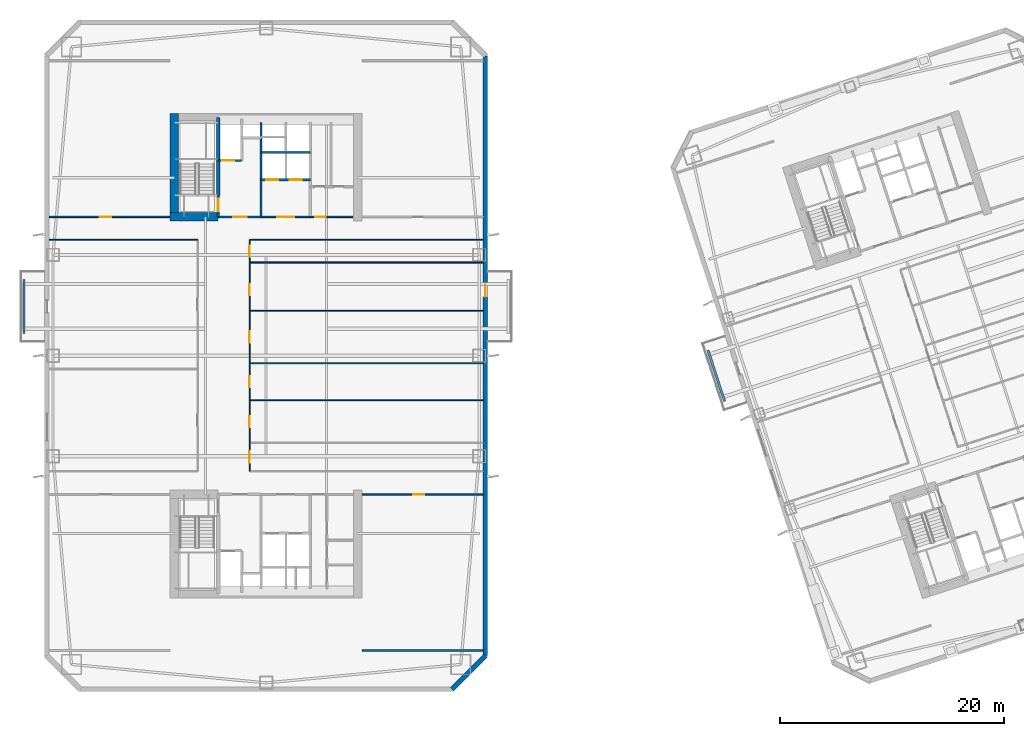
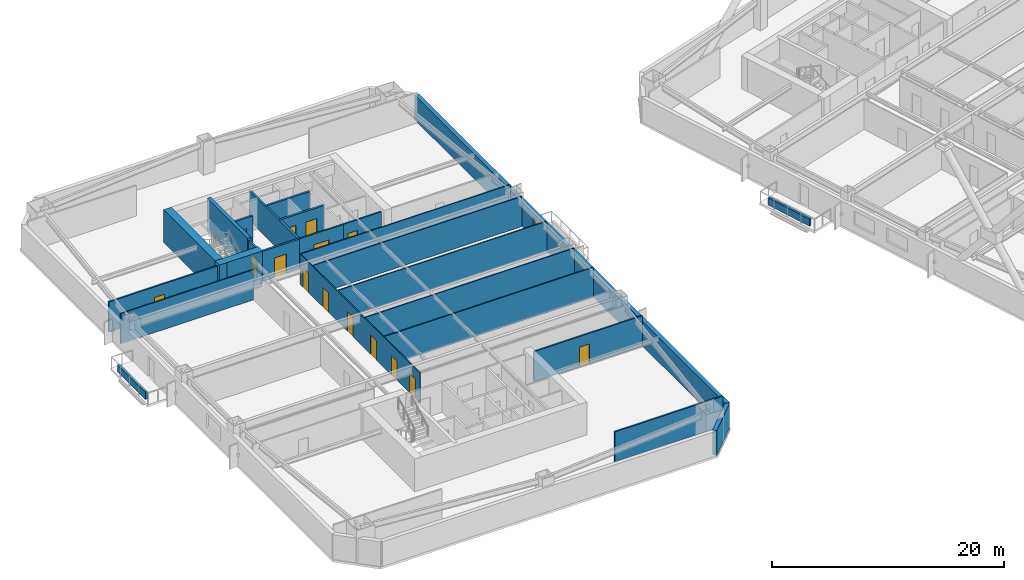
# One storey, part 7 of 19: 25 walls, 16 doors, 16 openings.
"""IFC4 building model written with IfcOpenShell, lengths in metres."""

from ifc_helpers import new_model, si_unit, direction, frame, frame_2d, origin, place, context, subcontext, project, spatial, rectangle, extrude, material, layer, layer_set, type_object, element, fill, save


model = new_model("IFC4")

# Units and contexts
model_context = context("Model", 3, precision=1e-05, world=origin(), true_north=direction((0.0, 1.0)))
body_context = subcontext(model_context, "Body", "Model", "MODEL_VIEW")
ifc_project = project(units=[si_unit("LENGTHUNIT", "METRE"), si_unit("AREAUNIT", "SQUARE_METRE"), si_unit("VOLUMEUNIT", "CUBIC_METRE"), si_unit("PLANEANGLEUNIT", "RADIAN"), si_unit("MASSUNIT", "GRAM", prefix="KILO")], contexts=[model_context])

# Site, building, storey
site_placement = place(None, origin())
site = spatial("IfcSite", under=ifc_project, at=site_placement, CompositionType="ELEMENT")
building_placement = place(site_placement, origin())
building = spatial("IfcBuilding", under=site, at=building_placement, Name="Qiaolan Cultural Towers", CompositionType="ELEMENT")
storey_placement = place(building_placement, frame((0.0, 0.0, 78.199951171875)))
storey = spatial("IfcBuildingStorey", under=building, at=storey_placement, Name="L19", CompositionType="ELEMENT", Elevation=78.199951171875)

# Walls
ifc_material_1 = material(Name="Concrete C50", Category="concrete")
ifc_layer_1 = layer(ifc_material_1, 0.35009765625)
ifc_layer_set_1 = layer_set([ifc_layer_1], Name="Concrete C50")
wall_type_1 = type_object("IfcWallType", Name="WL-CORE-350", PredefinedType="SHEAR", material=ifc_layer_set_1)
wall_1_placement = place(storey_placement, frame((25.719970703125, 48.300048828125, 0.0), z_axis=(0.0, 0.0, 1.0), x_axis=(0.0, 1.0, 0.0)))
element("IfcWall", 1, at=wall_1_placement, inside=storey, type_object=wall_type_1, Name="L19 T1-CN Stair Core Dividing Web", PredefinedType="SHEAR", context=body_context, shape_type="SweptSolid", body=[
    extrude(rectangle(XDim=6.97998046875, YDim=0.35009765625, at=frame_2d((3.489990234375, 0.0))), origin(), (0.0, 0.0, 1.0), 3.449951171875),
])
ifc_material_2 = material(Name="Concrete C60", Category="concrete")
ifc_layer_2 = layer(ifc_material_2, 0.75)
ifc_layer_set_2 = layer_set([ifc_layer_2], Name="Concrete C60")
wall_type_2 = type_object("IfcWallType", Name="WL-CORE-750", PredefinedType="SHEAR", material=ifc_layer_set_2)
wall_2_placement = place(storey_placement, frame((21.800048828125, 46.02490234375, 0.0), z_axis=(0.0, 0.0, 1.0), x_axis=(0.0, 1.0, 0.0)))
element("IfcWall", 2, at=wall_2_placement, inside=storey, type_object=wall_type_2, Name="L19 T1-CN West Core Shear Wall", PredefinedType="SHEAR", context=body_context, shape_type="SweptSolid", body=[
    extrude(rectangle(XDim=9.630126953125, YDim=0.75, at=frame_2d((4.81494140625, 0.0))), origin(), (0.0, 0.0, 1.0), 3.449951171875),
])
wall_3_placement = place(storey_placement, frame((21.425048828125, 46.39990234375, 0.0), z_axis=(0.0, 0.0, 1.0), x_axis=(1.0, 0.0, 0.0)))
element("IfcWall", 3, at=wall_3_placement, inside=storey, type_object=wall_type_2, Name="L19 T1-CN Stair Front Shear Wall", PredefinedType="SHEAR", context=body_context, shape_type="SweptSolid", body=[
    extrude(rectangle(XDim=4.294921875, YDim=0.75, at=frame_2d((2.1474609375, 0.0))), origin(), (0.0, 0.0, 1.0), 3.449951171875),
])

# Wall, opening, door
ifc_material_3 = material(Name="Precast Concrete C50 Honed Stone Pier", Category="masonry")
ifc_layer_3 = layer(ifc_material_3, 0.39990234375)
ifc_layer_set_3 = layer_set([ifc_layer_3], Name="Precast Concrete C50 Honed Stone Pier")
wall_type_3 = type_object("IfcWallType", Name="WL-EXT-PIER-400", PredefinedType="SOLIDWALL", material=ifc_layer_set_3)
wall_4_placement = place(storey_placement, frame((49.60009765625, 60.800048828125, 0.0), z_axis=(0.0, 0.0, 1.0), x_axis=(0.0, -1.0, 0.0)))
wall_4 = element("IfcWall", 4, at=wall_4_placement, inside=storey, type_object=wall_type_3, Name="L19 West Tower Precast Pier Facade Wall F5", PredefinedType="SOLIDWALL", context=body_context, shape_type="SweptSolid", body=[
    extrude(rectangle(XDim=53.60009765625, YDim=0.39990234375, at=frame_2d((26.800048828125, 0.0))), origin(), (0.0, 0.0, 1.0), 2.610107421875),
])
opening_1_placement = place(wall_4_placement, frame((20.449951171875, 0.0, 0.0)))
opening_1 = element("IfcOpeningElement", 5, at=opening_1_placement, cuts=wall_4, Name="Opening BD-01", PredefinedType="OPENING", context=body_context, shape_type="SweptSolid", body=[
    extrude(rectangle(XDim=1.10009765625, YDim=2.14990234375, at=frame_2d((0.550048828125, 1.074951171875))), frame((0.0, 0.2099609375, 0.0), z_axis=(0.0, -1.0, 0.0), x_axis=(1.0, 0.0, 0.0)), (0.0, 0.0, 1.0), 0.419921875),
])
ifc_material_4 = material(Name="Thermally Broken Aluminium Glazed Terrace Door", Category="aluminium")
door_type_1 = type_object("IfcDoorType", Name="DR-BAL-1100", OperationType="NOTDEFINED", PredefinedType="DOOR", material=ifc_material_4)
door_1_placement = place(opening_1_placement, origin())
door_1 = element("IfcDoor", 6, at=door_1_placement, inside=storey, type_object=door_type_1, Name="L19 T1 East Tree Balcony Door", OperationType="SINGLE_SWING_RIGHT", OverallHeight=2.14990234375, OverallWidth=1.10009765625, PredefinedType="DOOR", context=body_context, shape_type="SweptSolid", body=[
    extrude(rectangle(XDim=1.10009765625, YDim=2.14990234375, at=frame_2d((0.550048828125, 1.074951171875))), frame((0.0, 0.02490234375, 0.0), z_axis=(0.0, -1.0, 0.0), x_axis=(1.0, 0.0, 0.0)), (0.0, 0.0, 1.0), 0.050048828125),
])
fill(opening_1, door_1)

# Wall
wall_5_placement = place(storey_placement, frame((49.60009765625, 7.199951171875, 0.0), z_axis=(0.0, 0.0, 1.0), x_axis=(-0.707106781187, -0.707106781187, 0.0)))
element("IfcWall", 7, at=wall_5_placement, inside=storey, type_object=wall_type_3, Name="L19 West Tower Precast Pier Facade Wall F6", PredefinedType="SOLIDWALL", context=body_context, shape_type="SweptSolid", body=[
    extrude(rectangle(XDim=4.24267578125, YDim=0.39990234375, at=frame_2d((2.121337890625, 0.0))), origin(), (0.0, 0.0, 1.0), 2.610107421875),
])

# Wall, opening, door
ifc_material_5 = material(Name="Concrete C35 Fire Wall", Category="concrete")
ifc_layer_4 = layer(ifc_material_5, 0.199951171875)
ifc_layer_set_4 = layer_set([ifc_layer_4], Name="Concrete C35 Fire Wall")
wall_type_4 = type_object("IfcWallType", Name="WL-FIRE-200", PredefinedType="PARTITIONING", material=ifc_layer_set_4)
wall_6_placement = place(storey_placement, frame((25.719970703125, 46.39990234375, 0.0), z_axis=(0.0, 0.0, 1.0), x_axis=(0.0, 1.0, 0.0)))
wall_6 = element("IfcWall", 8, at=wall_6_placement, inside=storey, type_object=wall_type_4, Name="L19 T1-CN Smokeproof Stair Entry Wall", PredefinedType="PARTITIONING", context=body_context, shape_type="SweptSolid", body=[
    extrude(rectangle(XDim=1.900146484375, YDim=0.199951171875, at=frame_2d((0.9501953125, 0.0))), origin(), (0.0, 0.0, 1.0), 3.175048828125),
])
opening_2_placement = place(wall_6_placement, frame((0.52001953125, 0.0, 0.0)))
opening_2 = element("IfcOpeningElement", 9, at=opening_2_placement, cuts=wall_6, Name="Opening FD-04", PredefinedType="OPENING", context=body_context, shape_type="SweptSolid", body=[
    extrude(rectangle(XDim=1.10009765625, YDim=2.050048828125, at=frame_2d((0.550048828125, 1.02490234375))), frame((0.0, 0.10986328125, 0.0), z_axis=(0.0, -1.0, 0.0), x_axis=(1.0, 0.0, 0.0)), (0.0, 0.0, 1.0), 0.219970703125),
])
ifc_material_6 = material(Name="Galvanized Steel Command Fire Door", Category="steel")
door_type_2 = type_object("IfcDoorType", Name="DR-FD90-1100", OperationType="NOTDEFINED", PredefinedType="DOOR", material=ifc_material_6)
door_2_placement = place(opening_2_placement, origin())
door_2 = element("IfcDoor", 10, at=door_2_placement, inside=storey, type_object=door_type_2, Name="L19 ST-W2 Smokeproof Stair Fire Door", OperationType="SINGLE_SWING_LEFT", OverallHeight=2.050048828125, OverallWidth=1.10009765625, PredefinedType="DOOR", context=body_context, shape_type="SweptSolid", body=[
    extrude(rectangle(XDim=1.10009765625, YDim=2.050048828125, at=frame_2d((0.550048828125, 1.02490234375))), frame((0.0, 0.02490234375, 0.0), z_axis=(0.0, -1.0, 0.0), x_axis=(1.0, 0.0, 0.0)), (0.0, 0.0, 1.0), 0.050048828125),
])
fill(opening_2, door_2)

# Wall
wall_7_placement = place(storey_placement, frame((29.550048828125, 46.39990234375, 0.0), z_axis=(0.0, 0.0, 1.0), x_axis=(0.0, 1.0, 0.0)))
element("IfcWall", 11, at=wall_7_placement, inside=storey, type_object=wall_type_4, Name="L19 T1-CN Firefighting Zone Wall", PredefinedType="PARTITIONING", context=body_context, shape_type="SweptSolid", body=[
    extrude(rectangle(XDim=8.43017578125, YDim=0.199951171875, at=frame_2d((4.215087890625, 0.0))), origin(), (0.0, 0.0, 1.0), 3.175048828125),
])

# Wall, opening, door
wall_8_placement = place(storey_placement, frame((25.719970703125, 46.39990234375, 0.0), z_axis=(0.0, 0.0, 1.0), x_axis=(1.0, 0.0, 0.0)))
wall_8 = element("IfcWall", 12, at=wall_8_placement, inside=storey, type_object=wall_type_4, Name="L19 T1-CN Firefighting Lobby Front Wall", PredefinedType="PARTITIONING", context=body_context, shape_type="SweptSolid", body=[
    extrude(rectangle(XDim=3.830078125, YDim=0.199951171875, at=frame_2d((1.9150390625, 0.0))), origin(), (0.0, 0.0, 1.0), 3.175048828125),
])
opening_3_placement = place(wall_8_placement, frame((1.35009765625, 0.0, 0.0)))
opening_3 = element("IfcOpeningElement", 13, at=opening_3_placement, cuts=wall_8, Name="Opening FD-03", PredefinedType="OPENING", context=body_context, shape_type="SweptSolid", body=[
    extrude(rectangle(XDim=1.199951171875, YDim=2.050048828125, at=frame_2d((0.60009765625, 1.02490234375))), frame((0.0, 0.10986328125, 0.0), z_axis=(0.0, -1.0, 0.0), x_axis=(1.0, 0.0, 0.0)), (0.0, 0.0, 1.0), 0.219970703125),
])
ifc_material_7 = material(Name="Galvanized Steel Smokeproof Lobby Fire Door", Category="steel")
door_type_3 = type_object("IfcDoorType", Name="DR-FD90-1200", OperationType="NOTDEFINED", PredefinedType="DOOR", material=ifc_material_7)
door_3_placement = place(opening_3_placement, origin())
door_3 = element("IfcDoor", 14, at=door_3_placement, inside=storey, type_object=door_type_3, Name="L19 FFL-W2 Firefighting Lobby Fire Door", OperationType="SINGLE_SWING_LEFT", OverallHeight=2.050048828125, OverallWidth=1.199951171875, PredefinedType="DOOR", context=body_context, shape_type="SweptSolid", body=[
    extrude(rectangle(XDim=1.199951171875, YDim=2.050048828125, at=frame_2d((0.60009765625, 1.02490234375))), frame((0.0, 0.02490234375, 0.0), z_axis=(0.0, -1.0, 0.0), x_axis=(1.0, 0.0, 0.0)), (0.0, 0.0, 1.0), 0.050048828125),
])
fill(opening_3, door_3)

wall_9_placement = place(storey_placement, frame((25.719970703125, 51.449951171875, 0.0), z_axis=(0.0, 0.0, 1.0), x_axis=(1.0, 0.0, 0.0)))
wall_9 = element("IfcWall", 15, at=wall_9_placement, inside=storey, type_object=wall_type_4, Name="L19 T1-CN Firefighting Shaft Front Wall", PredefinedType="PARTITIONING", context=body_context, shape_type="SweptSolid", body=[
    extrude(rectangle(XDim=2.10009765625, YDim=0.199951171875, at=frame_2d((1.050048828125, 0.0))), origin(), (0.0, 0.0, 1.0), 3.175048828125),
])
opening_4_placement = place(wall_9_placement, frame((0.35009765625, 0.0, 0.0)))
opening_4 = element("IfcOpeningElement", 16, at=opening_4_placement, cuts=wall_9, Name="Opening LD-01", PredefinedType="OPENING", context=body_context, shape_type="SweptSolid", body=[
    extrude(rectangle(XDim=1.10009765625, YDim=2.050048828125, at=frame_2d((0.550048828125, 1.02490234375))), frame((0.0, 0.10986328125, 0.0), z_axis=(0.0, -1.0, 0.0), x_axis=(1.0, 0.0, 0.0)), (0.0, 0.0, 1.0), 0.219970703125),
])
ifc_material_8 = material(Name="Brushed Stainless Steel S30408 Centre-Parting Lift Landing Door", Category="steel")
door_type_4 = type_object("IfcDoorType", Name="DR-LIFT-1100", OperationType="NOTDEFINED", PredefinedType="DOOR", material=ifc_material_8)
door_4_placement = place(opening_4_placement, origin())
door_4 = element("IfcDoor", 17, at=door_4_placement, inside=storey, type_object=door_type_4, Name="L19 FFL-W2 Firefighting Lift Landing Door", OperationType="DOUBLE_DOOR_SLIDING", OverallHeight=2.050048828125, OverallWidth=1.10009765625, PredefinedType="DOOR", context=body_context, shape_type="SweptSolid", body=[
    extrude(rectangle(XDim=1.10009765625, YDim=2.050048828125, at=frame_2d((0.550048828125, 1.02490234375))), frame((0.0, 0.02490234375, 0.0), z_axis=(0.0, -1.0, 0.0), x_axis=(1.0, 0.0, 0.0)), (0.0, 0.0, 1.0), 0.050048828125),
])
fill(opening_4, door_4)

# Wall, openings, doors
wall_10_placement = place(storey_placement, frame((29.550048828125, 49.719970703125, 0.0), z_axis=(0.0, 0.0, 1.0), x_axis=(1.0, 0.0, 0.0)))
wall_10 = element("IfcWall", 18, at=wall_10_placement, inside=storey, type_object=wall_type_4, Name="L19 T1-CN Passenger Lift Shaft Front Wall", PredefinedType="PARTITIONING", context=body_context, shape_type="SweptSolid", body=[
    extrude(rectangle(XDim=4.39990234375, YDim=0.199951171875, at=frame_2d((2.199951171875, 0.0))), origin(), (0.0, 0.0, 1.0), 3.175048828125),
])
opening_5_placement = place(wall_10_placement, frame((0.449951171875, 0.0, 0.0)))
opening_5 = element("IfcOpeningElement", 19, at=opening_5_placement, cuts=wall_10, Name="Opening LD-01", PredefinedType="OPENING", context=body_context, shape_type="SweptSolid", body=[
    extrude(rectangle(XDim=1.10009765625, YDim=2.050048828125, at=frame_2d((0.550048828125, 1.02490234375))), frame((0.0, 0.10986328125, 0.0), z_axis=(0.0, -1.0, 0.0), x_axis=(1.0, 0.0, 0.0)), (0.0, 0.0, 1.0), 0.219970703125),
])
opening_6_placement = place(wall_10_placement, frame((2.550048828125, 0.0, 0.0)))
opening_6 = element("IfcOpeningElement", 20, at=opening_6_placement, cuts=wall_10, Name="Opening LD-01", PredefinedType="OPENING", context=body_context, shape_type="SweptSolid", body=[
    extrude(rectangle(XDim=1.10009765625, YDim=2.050048828125, at=frame_2d((0.550048828125, 1.02490234375))), frame((0.0, 0.10986328125, 0.0), z_axis=(0.0, -1.0, 0.0), x_axis=(1.0, 0.0, 0.0)), (0.0, 0.0, 1.0), 0.219970703125),
])
door_5_placement = place(opening_5_placement, origin())
door_5 = element("IfcDoor", 21, at=door_5_placement, inside=storey, type_object=door_type_4, Name="L19 Passenger Lift 1 Landing Door", OperationType="DOUBLE_DOOR_SLIDING", OverallHeight=2.050048828125, OverallWidth=1.10009765625, PredefinedType="DOOR", context=body_context, shape_type="SweptSolid", body=[
    extrude(rectangle(XDim=1.10009765625, YDim=2.050048828125, at=frame_2d((0.550048828125, 1.02490234375))), frame((0.0, 0.02490234375, 0.0), z_axis=(0.0, -1.0, 0.0), x_axis=(1.0, 0.0, 0.0)), (0.0, 0.0, 1.0), 0.050048828125),
])
fill(opening_5, door_5)
door_6_placement = place(opening_6_placement, origin())
door_6 = element("IfcDoor", 22, at=door_6_placement, inside=storey, type_object=door_type_4, Name="L19 Passenger Lift 2 Landing Door", OperationType="DOUBLE_DOOR_SLIDING", OverallHeight=2.050048828125, OverallWidth=1.10009765625, PredefinedType="DOOR", context=body_context, shape_type="SweptSolid", body=[
    extrude(rectangle(XDim=1.10009765625, YDim=2.050048828125, at=frame_2d((0.550048828125, 1.02490234375))), frame((0.0, 0.02490234375, 0.0), z_axis=(0.0, -1.0, 0.0), x_axis=(1.0, 0.0, 0.0)), (0.0, 0.0, 1.0), 0.050048828125),
])
fill(opening_6, door_6)

# Walls
wall_11_placement = place(storey_placement, frame((29.550048828125, 52.14990234375, 0.0), z_axis=(0.0, 0.0, 1.0), x_axis=(1.0, 0.0, 0.0)))
element("IfcWall", 23, at=wall_11_placement, inside=storey, type_object=wall_type_4, Name="L19 T1-CN Passenger Lift Shaft Back Wall", PredefinedType="PARTITIONING", context=body_context, shape_type="SweptSolid", body=[
    extrude(rectangle(XDim=4.39990234375, YDim=0.199951171875, at=frame_2d((2.199951171875, 0.0))), origin(), (0.0, 0.0, 1.0), 3.175048828125),
])
ifc_material_9 = material(Name="Acoustic Double-Glazed Partition Frame", Category="glass")
ifc_layer_5 = layer(ifc_material_9, 0.10009765625)
ifc_layer_set_5 = layer_set([ifc_layer_5], Name="Acoustic Double-Glazed Partition Frame")
wall_type_5 = type_object("IfcWallType", Name="WL-GLAZED-100", PredefinedType="MOVABLE", material=ifc_layer_set_5)
wall_12_placement = place(storey_placement, frame((10.60009765625, 44.35009765625, 0.0), z_axis=(0.0, 0.0, 1.0), x_axis=(1.0, 0.0, 0.0)))
element("IfcWall", 24, at=wall_12_placement, inside=storey, type_object=wall_type_5, Name="L19 T1 North Corridor Left Wall", PredefinedType="MOVABLE", context=body_context, shape_type="SweptSolid", body=[
    extrude(rectangle(XDim=13.27490234375, YDim=0.10009765625, at=frame_2d((6.637451171875, 0.0))), origin(), (0.0, 0.0, 1.0), 3.175048828125),
])
wall_13_placement = place(storey_placement, frame((28.52490234375, 44.35009765625, 0.0), z_axis=(0.0, 0.0, 1.0), x_axis=(1.0, 0.0, 0.0)))
element("IfcWall", 25, at=wall_13_placement, inside=storey, type_object=wall_type_5, Name="L19 T1 North Corridor Right Wall", PredefinedType="MOVABLE", context=body_context, shape_type="SweptSolid", body=[
    extrude(rectangle(XDim=20.875, YDim=0.10009765625, at=frame_2d((10.4375, 0.0))), origin(), (0.0, 0.0, 1.0), 3.175048828125),
])

# Wall, openings, doors
wall_14_placement = place(storey_placement, frame((28.52490234375, 23.64990234375, 0.0), z_axis=(0.0, 0.0, 1.0), x_axis=(0.0, 1.0, 0.0)))
wall_14 = element("IfcWall", 26, at=wall_14_placement, inside=storey, type_object=wall_type_5, Name="L19 T1 East Spine Wall", PredefinedType="MOVABLE", context=body_context, shape_type="SweptSolid", body=[
    extrude(rectangle(XDim=20.7001953125, YDim=0.10009765625, at=frame_2d((10.35009765625, 0.0))), origin(), (0.0, 0.0, 1.0), 3.175048828125),
])
opening_7_placement = place(wall_14_placement, frame((0.77490234375, 0.0, 0.0)))
opening_7 = element("IfcOpeningElement", 27, at=opening_7_placement, cuts=wall_14, Name="Opening ID-07", PredefinedType="OPENING", context=body_context, shape_type="SweptSolid", body=[
    extrude(rectangle(XDim=1.050048828125, YDim=2.050048828125, at=frame_2d((0.52490234375, 1.02490234375))), frame((0.0, 0.06005859375, 0.0), z_axis=(0.0, -1.0, 0.0), x_axis=(1.0, 0.0, 0.0)), (0.0, 0.0, 1.0), 0.1201171875),
])
opening_8_placement = place(wall_14_placement, frame((3.949951171875, 0.0, 0.0)))
opening_8 = element("IfcOpeningElement", 28, at=opening_8_placement, cuts=wall_14, Name="Opening ID-04", PredefinedType="OPENING", context=body_context, shape_type="SweptSolid", body=[
    extrude(rectangle(XDim=1.0, YDim=2.050048828125, at=frame_2d((0.5, 1.02490234375))), frame((0.0, 0.06005859375, 0.0), z_axis=(0.0, -1.0, 0.0), x_axis=(1.0, 0.0, 0.0)), (0.0, 0.0, 1.0), 0.1201171875),
])
opening_9_placement = place(wall_14_placement, frame((7.510009765625, 0.0, 0.0)))
opening_9 = element("IfcOpeningElement", 29, at=opening_9_placement, cuts=wall_14, Name="Opening ID-04", PredefinedType="OPENING", context=body_context, shape_type="SweptSolid", body=[
    extrude(rectangle(XDim=1.0, YDim=2.050048828125, at=frame_2d((0.5, 1.02490234375))), frame((0.0, 0.06005859375, 0.0), z_axis=(0.0, -1.0, 0.0), x_axis=(1.0, 0.0, 0.0)), (0.0, 0.0, 1.0), 0.1201171875),
])
opening_10_placement = place(wall_14_placement, frame((11.510009765625, 0.0, 0.0)))
opening_10 = element("IfcOpeningElement", 30, at=opening_10_placement, cuts=wall_14, Name="Opening ID-04", PredefinedType="OPENING", context=body_context, shape_type="SweptSolid", body=[
    extrude(rectangle(XDim=1.0, YDim=2.050048828125, at=frame_2d((0.5, 1.02490234375))), frame((0.0, 0.06005859375, 0.0), z_axis=(0.0, -1.0, 0.0), x_axis=(1.0, 0.0, 0.0)), (0.0, 0.0, 1.0), 0.1201171875),
])
opening_11_placement = place(wall_14_placement, frame((15.75, 0.0, 0.0)))
opening_11 = element("IfcOpeningElement", 31, at=opening_11_placement, cuts=wall_14, Name="Opening ID-04", PredefinedType="OPENING", context=body_context, shape_type="SweptSolid", body=[
    extrude(rectangle(XDim=1.0, YDim=2.050048828125, at=frame_2d((0.5, 1.02490234375))), frame((0.0, 0.06005859375, 0.0), z_axis=(0.0, -1.0, 0.0), x_axis=(1.0, 0.0, 0.0)), (0.0, 0.0, 1.0), 0.1201171875),
])
opening_12_placement = place(wall_14_placement, frame((19.18505859375, 0.0, 0.0)))
opening_12 = element("IfcOpeningElement", 32, at=opening_12_placement, cuts=wall_14, Name="Opening ID-04", PredefinedType="OPENING", context=body_context, shape_type="SweptSolid", body=[
    extrude(rectangle(XDim=1.0, YDim=2.050048828125, at=frame_2d((0.5, 1.02490234375))), frame((0.0, 0.06005859375, 0.0), z_axis=(0.0, -1.0, 0.0), x_axis=(1.0, 0.0, 0.0)), (0.0, 0.0, 1.0), 0.1201171875),
])
ifc_material_10 = material(Name="Oak Veneer Acoustic Office Door", Category="timber")
door_type_5 = type_object("IfcDoorType", Name="DR-INT-1000", OperationType="NOTDEFINED", PredefinedType="DOOR", material=ifc_material_10)
door_7_placement = place(opening_8_placement, origin())
door_7 = element("IfcDoor", 33, at=door_7_placement, inside=storey, type_object=door_type_5, Name="L19 T1 Boutique Art Shop Door", OperationType="SINGLE_SWING_LEFT", OverallHeight=2.050048828125, OverallWidth=1.0, PredefinedType="DOOR", context=body_context, shape_type="SweptSolid", body=[
    extrude(rectangle(XDim=1.0, YDim=2.050048828125, at=frame_2d((0.5, 1.02490234375))), frame((0.0, 0.02490234375, 0.0), z_axis=(0.0, -1.0, 0.0), x_axis=(1.0, 0.0, 0.0)), (0.0, 0.0, 1.0), 0.050048828125),
])
fill(opening_8, door_7)
door_8_placement = place(opening_9_placement, origin())
door_8 = element("IfcDoor", 34, at=door_8_placement, inside=storey, type_object=door_type_5, Name="L19 T1 Boutique Art Shop Door", OperationType="SINGLE_SWING_RIGHT", OverallHeight=2.050048828125, OverallWidth=1.0, PredefinedType="DOOR", context=body_context, shape_type="SweptSolid", body=[
    extrude(rectangle(XDim=1.0, YDim=2.050048828125, at=frame_2d((0.5, 1.02490234375))), frame((0.0, 0.02490234375, 0.0), z_axis=(0.0, -1.0, 0.0), x_axis=(1.0, 0.0, 0.0)), (0.0, 0.0, 1.0), 0.050048828125),
])
fill(opening_9, door_8)
door_9_placement = place(opening_10_placement, origin())
door_9 = element("IfcDoor", 35, at=door_9_placement, inside=storey, type_object=door_type_5, Name="L19 T1 Wellness Care Room Door", OperationType="SINGLE_SWING_LEFT", OverallHeight=2.050048828125, OverallWidth=1.0, PredefinedType="DOOR", context=body_context, shape_type="SweptSolid", body=[
    extrude(rectangle(XDim=1.0, YDim=2.050048828125, at=frame_2d((0.5, 1.02490234375))), frame((0.0, 0.02490234375, 0.0), z_axis=(0.0, -1.0, 0.0), x_axis=(1.0, 0.0, 0.0)), (0.0, 0.0, 1.0), 0.050048828125),
])
fill(opening_10, door_9)
door_10_placement = place(opening_11_placement, origin())
door_10 = element("IfcDoor", 36, at=door_10_placement, inside=storey, type_object=door_type_5, Name="L19 T1 Conference Room Door", OperationType="SINGLE_SWING_RIGHT", OverallHeight=2.050048828125, OverallWidth=1.0, PredefinedType="DOOR", context=body_context, shape_type="SweptSolid", body=[
    extrude(rectangle(XDim=1.0, YDim=2.050048828125, at=frame_2d((0.5, 1.02490234375))), frame((0.0, 0.02490234375, 0.0), z_axis=(0.0, -1.0, 0.0), x_axis=(1.0, 0.0, 0.0)), (0.0, 0.0, 1.0), 0.050048828125),
])
fill(opening_11, door_10)
door_11_placement = place(opening_12_placement, origin())
door_11 = element("IfcDoor", 37, at=door_11_placement, inside=storey, type_object=door_type_5, Name="L19 T1 Tea Kitchen Door", OperationType="SINGLE_SWING_RIGHT", OverallHeight=2.050048828125, OverallWidth=1.0, PredefinedType="DOOR", context=body_context, shape_type="SweptSolid", body=[
    extrude(rectangle(XDim=1.0, YDim=2.050048828125, at=frame_2d((0.5, 1.02490234375))), frame((0.0, 0.02490234375, 0.0), z_axis=(0.0, -1.0, 0.0), x_axis=(1.0, 0.0, 0.0)), (0.0, 0.0, 1.0), 0.050048828125),
])
fill(opening_12, door_11)
ifc_material_11 = material(Name="Oak Veneer Consultation Door", Category="timber")
door_type_6 = type_object("IfcDoorType", Name="DR-INT-1050", OperationType="NOTDEFINED", PredefinedType="DOOR", material=ifc_material_11)
door_12_placement = place(opening_7_placement, origin())
door_12 = element("IfcDoor", 38, at=door_12_placement, inside=storey, type_object=door_type_6, Name="L19 T1 Boutique Art Shop Door", OperationType="SINGLE_SWING_RIGHT", OverallHeight=2.050048828125, OverallWidth=1.050048828125, PredefinedType="DOOR", context=body_context, shape_type="SweptSolid", body=[
    extrude(rectangle(XDim=1.050048828125, YDim=2.050048828125, at=frame_2d((0.52490234375, 1.02490234375))), frame((0.0, 0.02490234375, 0.0), z_axis=(0.0, -1.0, 0.0), x_axis=(1.0, 0.0, 0.0)), (0.0, 0.0, 1.0), 0.050048828125),
])
fill(opening_7, door_12)

# Walls
for number, where, z_axis, x_axis, name in (
    (39, (28.52490234375, 30.0, 0.0), (0.0, 0.0, 1.0), (1.0, 0.0, 0.0), "L19 T1 East Partition 2"),
    (40, (28.52490234375, 33.320068359375, 0.0), (0.0, 0.0, 1.0), (1.0, 0.0, 0.0), "L19 T1 East Partition 3"),
    (41, (28.52490234375, 38.0, 0.0), (0.0, 0.0, 1.0), (1.0, 0.0, 0.0), "L19 T1 East Partition 4"),
    (42, (28.52490234375, 42.320068359375, 0.0), (0.0, 0.0, 1.0), (1.0, 0.0, 0.0), "L19 T1 East Partition 6"),
):
    element("IfcWall", number, at=place(storey_placement, frame(where, z_axis=z_axis, x_axis=x_axis)), inside=storey, type_object=wall_type_5, Name=name, PredefinedType="MOVABLE", context=body_context, shape_type="SweptSolid", body=[
        extrude(rectangle(XDim=20.875, YDim=0.10009765625, at=frame_2d((10.4375, 0.0))), origin(), (0.0, 0.0, 1.0), 3.175048828125),
    ])

# Wall, opening, door
ifc_material_12 = material(Name="Autoclaved Aerated Concrete Block B06", Category="concrete")
ifc_layer_6 = layer(ifc_material_12, 0.14990234375)
ifc_layer_set_6 = layer_set([ifc_layer_6], Name="Autoclaved Aerated Concrete Block B06")
wall_type_6 = type_object("IfcWallType", Name="WL-PART-150", PredefinedType="PARTITIONING", material=ifc_layer_set_6)
wall_15_placement = place(storey_placement, frame((29.550048828125, 46.39990234375, 0.0), z_axis=(0.0, 0.0, 1.0), x_axis=(1.0, 0.0, 0.0)))
wall_15 = element("IfcWall", 43, at=wall_15_placement, inside=storey, type_object=wall_type_6, Name="L19 T1-CN Passenger Lift Lobby Front Wall", PredefinedType="PARTITIONING", context=body_context, shape_type="SweptSolid", body=[
    extrude(rectangle(XDim=4.39990234375, YDim=0.14990234375, at=frame_2d((2.199951171875, 0.0))), origin(), (0.0, 0.0, 1.0), 3.175048828125),
])
opening_13_placement = place(wall_15_placement, frame((1.449951171875, 0.0, 0.0)))
opening_13 = element("IfcOpeningElement", 44, at=opening_13_placement, cuts=wall_15, Name="Opening FD-05", PredefinedType="OPENING", context=body_context, shape_type="SweptSolid", body=[
    extrude(rectangle(XDim=1.5, YDim=2.050048828125, at=frame_2d((0.75, 1.02490234375))), frame((0.0, 0.0849609375, 0.0), z_axis=(0.0, -1.0, 0.0), x_axis=(1.0, 0.0, 0.0)), (0.0, 0.0, 1.0), 0.169921875),
])
ifc_material_13 = material(Name="Painted Steel Lift Lobby Fire Door", Category="steel")
door_type_7 = type_object("IfcDoorType", Name="DR-FD60-1500", OperationType="NOTDEFINED", PredefinedType="DOOR", material=ifc_material_13)
door_13_placement = place(opening_13_placement, origin())
door_13 = element("IfcDoor", 45, at=door_13_placement, inside=storey, type_object=door_type_7, Name="L19 Passenger Lift Lobby Entrance", OperationType="SINGLE_SWING_LEFT", OverallHeight=2.050048828125, OverallWidth=1.5, PredefinedType="DOOR", context=body_context, shape_type="SweptSolid", body=[
    extrude(rectangle(XDim=1.5, YDim=2.050048828125, at=frame_2d((0.75, 1.02490234375))), frame((0.0, 0.02490234375, 0.0), z_axis=(0.0, -1.0, 0.0), x_axis=(1.0, 0.0, 0.0)), (0.0, 0.0, 1.0), 0.050048828125),
])
fill(opening_13, door_13)

wall_16_placement = place(storey_placement, frame((33.949951171875, 46.39990234375, 0.0), z_axis=(0.0, 0.0, 1.0), x_axis=(1.0, 0.0, 0.0)))
wall_16 = element("IfcWall", 46, at=wall_16_placement, inside=storey, type_object=wall_type_6, Name="L19 T1-CN Sanitary Core Front Wall", PredefinedType="PARTITIONING", context=body_context, shape_type="SweptSolid", body=[
    extrude(rectangle(XDim=3.800048828125, YDim=0.14990234375, at=frame_2d((1.89990234375, 0.0))), origin(), (0.0, 0.0, 1.0), 3.175048828125),
])
opening_14_placement = place(wall_16_placement, frame((0.449951171875, 0.0, 0.0)))
opening_14 = element("IfcOpeningElement", 47, at=opening_14_placement, cuts=wall_16, Name="Opening ID-05", PredefinedType="OPENING", context=body_context, shape_type="SweptSolid", body=[
    extrude(rectangle(XDim=0.949951171875, YDim=2.050048828125, at=frame_2d((0.47509765625, 1.02490234375))), frame((0.0, 0.0849609375, 0.0), z_axis=(0.0, -1.0, 0.0), x_axis=(1.0, 0.0, 0.0)), (0.0, 0.0, 1.0), 0.169921875),
])
ifc_material_14 = material(Name="Fire-Rated Laminate Accessible Core Door", Category="timber")
door_type_8 = type_object("IfcDoorType", Name="DR-INT-950", OperationType="NOTDEFINED", PredefinedType="DOOR", material=ifc_material_14)
door_14_placement = place(opening_14_placement, origin())
door_14 = element("IfcDoor", 48, at=door_14_placement, inside=storey, type_object=door_type_8, Name="L19 Sanitary Vestibule Door", OperationType="SINGLE_SWING_LEFT", OverallHeight=2.050048828125, OverallWidth=0.949951171875, PredefinedType="DOOR", context=body_context, shape_type="SweptSolid", body=[
    extrude(rectangle(XDim=0.949951171875, YDim=2.050048828125, at=frame_2d((0.47509765625, 1.02490234375))), frame((0.0, 0.02490234375, 0.0), z_axis=(0.0, -1.0, 0.0), x_axis=(1.0, 0.0, 0.0)), (0.0, 0.0, 1.0), 0.050048828125),
])
fill(opening_14, door_14)

# Wall
wall_17_placement = place(storey_placement, frame((38.60009765625, 7.64990234375, 0.0), z_axis=(0.0, 0.0, 1.0), x_axis=(1.0, 0.0, 0.0)))
element("IfcWall", 49, at=wall_17_placement, inside=storey, type_object=wall_type_6, Name="L19 T1 Flank Wall FLK-SE", PredefinedType="PARTITIONING", context=body_context, shape_type="SweptSolid", body=[
    extrude(rectangle(XDim=10.7998046875, YDim=0.14990234375, at=frame_2d((5.39990234375, 0.0))), origin(), (0.0, 0.0, 1.0), 3.175048828125),
])

# Wall, opening, door
wall_18_placement = place(storey_placement, frame((38.60009765625, 21.60009765625, 0.0), z_axis=(0.0, 0.0, 1.0), x_axis=(1.0, 0.0, 0.0)))
wall_18 = element("IfcWall", 50, at=wall_18_placement, inside=storey, type_object=wall_type_6, Name="L19 T1 Flank Front FLK-SE", PredefinedType="PARTITIONING", context=body_context, shape_type="SweptSolid", body=[
    extrude(rectangle(XDim=10.7998046875, YDim=0.14990234375, at=frame_2d((5.39990234375, 0.0))), origin(), (0.0, 0.0, 1.0), 3.175048828125),
])
opening_15_placement = place(wall_18_placement, frame((4.535888671875, 0.0, 0.0)))
opening_15 = element("IfcOpeningElement", 51, at=opening_15_placement, cuts=wall_18, Name="Opening ID-04", PredefinedType="OPENING", context=body_context, shape_type="SweptSolid", body=[
    extrude(rectangle(XDim=1.0, YDim=2.050048828125, at=frame_2d((0.5, 1.02490234375))), frame((0.0, 0.0849609375, 0.0), z_axis=(0.0, -1.0, 0.0), x_axis=(1.0, 0.0, 0.0)), (0.0, 0.0, 1.0), 0.169921875),
])
door_15_placement = place(opening_15_placement, origin())
door_15 = element("IfcDoor", 52, at=door_15_placement, inside=storey, type_object=door_type_5, Name="L19 T1 Corner Studio Door", OperationType="SINGLE_SWING_LEFT", OverallHeight=2.050048828125, OverallWidth=1.0, PredefinedType="DOOR", context=body_context, shape_type="SweptSolid", body=[
    extrude(rectangle(XDim=1.0, YDim=2.050048828125, at=frame_2d((0.5, 1.02490234375))), frame((0.0, 0.02490234375, 0.0), z_axis=(0.0, -1.0, 0.0), x_axis=(1.0, 0.0, 0.0)), (0.0, 0.0, 1.0), 0.050048828125),
])
fill(opening_15, door_15)

wall_19_placement = place(storey_placement, frame((10.60009765625, 46.39990234375, 0.0), z_axis=(0.0, 0.0, 1.0), x_axis=(1.0, 0.0, 0.0)))
wall_19 = element("IfcWall", 53, at=wall_19_placement, inside=storey, type_object=wall_type_6, Name="L19 T1 Flank Front FLK-NW", PredefinedType="PARTITIONING", context=body_context, shape_type="SweptSolid", body=[
    extrude(rectangle(XDim=10.7998046875, YDim=0.14990234375, at=frame_2d((5.39990234375, 0.0))), origin(), (0.0, 0.0, 1.0), 3.175048828125),
])
opening_16_placement = place(wall_19_placement, frame((4.535888671875, 0.0, 0.0)))
opening_16 = element("IfcOpeningElement", 54, at=opening_16_placement, cuts=wall_19, Name="Opening ID-04", PredefinedType="OPENING", context=body_context, shape_type="SweptSolid", body=[
    extrude(rectangle(XDim=1.0, YDim=2.050048828125, at=frame_2d((0.5, 1.02490234375))), frame((0.0, 0.0849609375, 0.0), z_axis=(0.0, -1.0, 0.0), x_axis=(1.0, 0.0, 0.0)), (0.0, 0.0, 1.0), 0.169921875),
])
door_16_placement = place(opening_16_placement, origin())
door_16 = element("IfcDoor", 55, at=door_16_placement, inside=storey, type_object=door_type_5, Name="L19 T1 Corner Studio Door", OperationType="SINGLE_SWING_LEFT", OverallHeight=2.050048828125, OverallWidth=1.0, PredefinedType="DOOR", context=body_context, shape_type="SweptSolid", body=[
    extrude(rectangle(XDim=1.0, YDim=2.050048828125, at=frame_2d((0.5, 1.02490234375))), frame((0.0, 0.02490234375, 0.0), z_axis=(0.0, -1.0, 0.0), x_axis=(1.0, 0.0, 0.0)), (0.0, 0.0, 1.0), 0.050048828125),
])
fill(opening_16, door_16)

# Walls
ifc_material_15 = material(Name="Precast Concrete C45 Tree Planter Upstand", Category="concrete")
ifc_layer_7 = layer(ifc_material_15, 0.199951171875)
ifc_layer_set_7 = layer_set([ifc_layer_7], Name="Precast Concrete C45 Tree Planter Upstand")
wall_type_7 = type_object("IfcWallType", Name="WL-PLANTER-200", PredefinedType="PARAPET", material=ifc_layer_set_7)
for number, where, z_axis, x_axis, name in (
    (56, (8.35009765625, 36.0, 0.0), (0.0, 0.0, 1.0), (0.0, 1.0, 0.0), "L19 T1 Tree Balcony Soil Planter Box W"),
    (57, (70.97900390625, 29.922607421875, 0.0), (0.0, 0.0, 1.0), (-0.308986014439, 0.951066581729, 0.0), "L19 T2 Tree Balcony Soil Planter Box W"),
):
    element("IfcWall", number, at=place(storey_placement, frame(where, z_axis=z_axis, x_axis=x_axis)), inside=storey, type_object=wall_type_7, Name=name, PredefinedType="PARAPET", context=body_context, shape_type="SweptSolid", body=[
        extrude(rectangle(XDim=4.800048828125, YDim=0.199951171875, at=frame_2d((2.39990234375, 0.0))), origin(), (0.0, 0.0, 1.0), 0.75),
    ])

save(model, "model.ifc")
